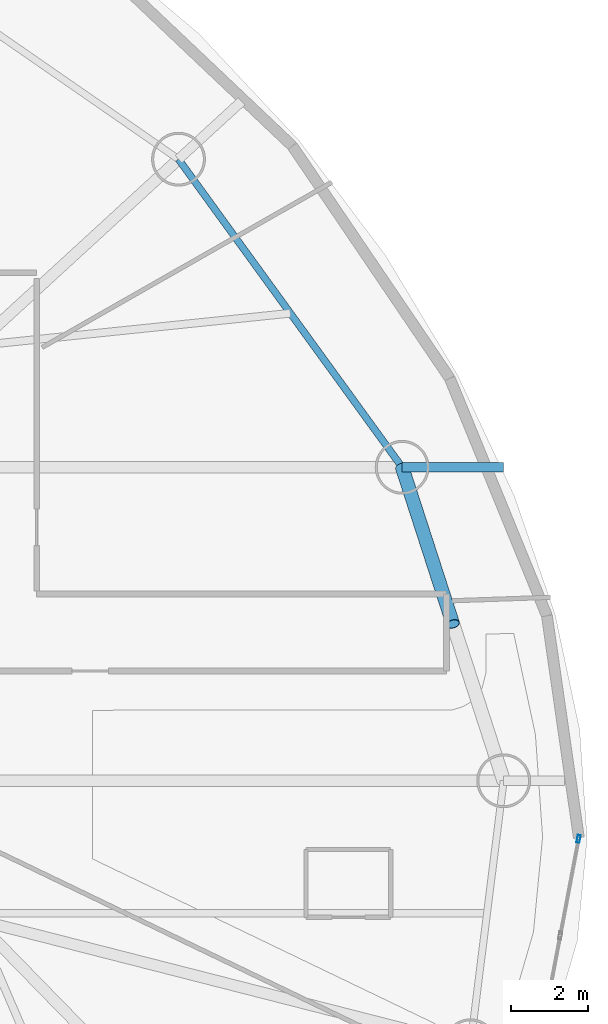
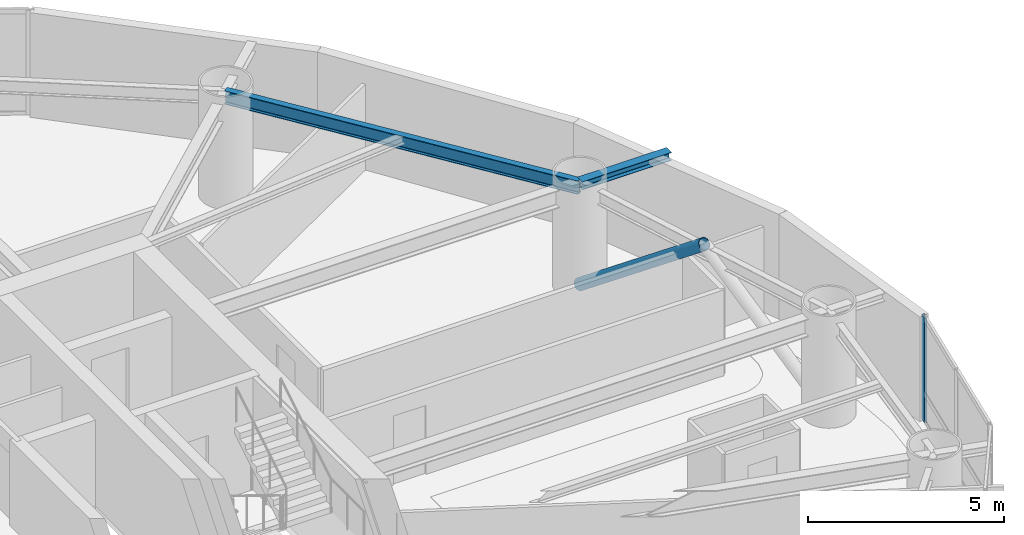
# One storey, part 9 of 22: 2 beams, 2 members, 1 element without a shape of its own.
"""IFC4 building model written with IfcOpenShell, lengths in metres."""

from ifc_helpers import new_model, si_unit, direction, frame, origin, origin_2d, place, context, subcontext, project, spatial, hollow_rectangle, hollow_circle, i_section, extrude, material, layer, layer_set, material_profile, profile_set, type_object, element, aggregate, save


model = new_model("IFC4")

# Units and contexts
model_context = context("Model", 3, precision=1e-05, world=origin(), true_north=direction((0.0, 1.0)))
body_context = subcontext(model_context, "Body", "Model", "MODEL_VIEW")
ifc_project = project(units=[si_unit("LENGTHUNIT", "METRE"), si_unit("AREAUNIT", "SQUARE_METRE"), si_unit("VOLUMEUNIT", "CUBIC_METRE"), si_unit("PLANEANGLEUNIT", "RADIAN"), si_unit("MASSUNIT", "GRAM", prefix="KILO")], contexts=[model_context])

# Site, building, storey
site_placement = place(None, origin())
site = spatial("IfcSite", under=ifc_project, at=site_placement, CompositionType="ELEMENT")
building_placement = place(site_placement, origin())
building = spatial("IfcBuilding", under=site, at=building_placement, Name="Bramvorn Convention Spire", CompositionType="ELEMENT")
storey_placement = place(building_placement, frame((0.0, 0.0, 120.300048828125)))
storey = spatial("IfcBuildingStorey", under=building, at=storey_placement, Name="L29", CompositionType="ELEMENT", Elevation=120.300048828125)

# Beams
ifc_material_1 = material(Name="Steel CSA G40.21 Grade 350 (350W)", Category="steel")
ifc_material_profile_1 = material_profile(ifc_material_1, i_section(OverallWidth=0.25390625, OverallDepth=0.2529296875, WebThickness=0.008544921875, FlangeThickness=0.01416015625, FilletRadius=0.011962890625, at=origin_2d()))
ifc_profile_set_1 = profile_set([ifc_material_profile_1], Name="Steel CSA G40.21 Grade 350 (350W) - W250X73")
beam_type_1 = type_object("IfcBeamType", Name="BM-W250X73", PredefinedType="BEAM", material=ifc_profile_set_1)
beam_1_placement = place(storey_placement, frame((60.345703125, 30.293212890625, 3.133544921875), z_axis=(1.0, 0.0, 0.0), x_axis=(0.0, 1.0, 0.0)))
element("IfcBeam", 1, at=beam_1_placement, inside=storey, type_object=beam_type_1, Name="L29 slab-edge cantilever tip beam MC03", PredefinedType="BEAM", context=body_context, shape_type="SweptSolid", body=[
    extrude(i_section(OverallWidth=0.25390625, OverallDepth=0.2529296875, WebThickness=0.008544921875, FlangeThickness=0.01416015625, FilletRadius=0.011962890625, at=origin_2d()), origin(), (0.0, 0.0, 1.0), 2.634033203125),
])
ifc_material_profile_2 = material_profile(ifc_material_1, i_section(OverallWidth=0.180908203125, OverallDepth=0.4169921875, WebThickness=0.010986328125, FlangeThickness=0.018310546875, FilletRadius=0.01611328125, at=origin_2d()))
ifc_profile_set_2 = profile_set([ifc_material_profile_2], Name="Steel CSA G40.21 Grade 350 (350W) - W410X85")
beam_type_2 = type_object("IfcBeamType", Name="BM-W410X85", PredefinedType="JOIST", material=ifc_profile_set_2)
beam_2_placement = place(storey_placement, frame((60.345703125, 30.293212890625, 3.051513671875), z_axis=(-0.587401024629, 0.809296012757, 0.0), x_axis=(-0.809296012757, -0.587401024629, 0.0)))
element("IfcBeam", 2, at=beam_2_placement, inside=storey, type_object=beam_type_2, Name="L29 mega-column ring beam 03", PredefinedType="JOIST", context=body_context, shape_type="SweptSolid", body=[
    extrude(i_section(OverallWidth=0.180908203125, OverallDepth=0.4169921875, WebThickness=0.010986328125, FlangeThickness=0.018310546875, FilletRadius=0.01611328125, at=origin_2d()), origin(), (0.0, 0.0, 1.0), 9.892333984375),
])

# Curtain wall, member
ifc_material_2 = material(Name="Anodised Bronze Unitised Curtain Wall", Category="aluminium")
ifc_layer = layer(ifc_material_2, 0.179931640625)
ifc_layer_set = layer_set([ifc_layer], Name="Anodised Bronze Unitised Curtain Wall - CW-HTL-FRIT")
curtain_wall_type = type_object("IfcCurtainWallType", Name="CW-HTL-FRIT", PredefinedType="USERDEFINED", material=ifc_layer_set)
curtain_wall_placement = place(storey_placement, origin())
curtain_wall = element("IfcCurtainWall", 3, at=curtain_wall_placement, inside=storey, type_object=curtain_wall_type, Name="L29 fritted glass curtain wall 01", ObjectType="UNITISED CURTAIN WALL", PredefinedType="USERDEFINED")
ifc_material_3 = material(Name="Anodised Bronze Aluminium 6063-T6", Category="aluminium")
ifc_material_profile_3 = material_profile(ifc_material_3, hollow_rectangle(XDim=0.080078125, YDim=0.199951171875, WallThickness=0.00390625, InnerFilletRadius=0.0009765625, OuterFilletRadius=0.00390625, at=origin_2d()))
ifc_profile_set_3 = profile_set([ifc_material_profile_3], Name="Anodised Bronze Aluminium 6063-T6 - CWM80X200")
member_type_1 = type_object("IfcMemberType", Name="CW-MUL-180", PredefinedType="MULLION", material=ifc_profile_set_3)
member_1_placement = place(storey_placement, frame((64.931396484375, 20.64013671875, 0.0), z_axis=(0.0, 0.0, 1.0), x_axis=(0.982381506928, -0.18688652933, 0.0)))
member_1 = element("IfcMember", 4, at=member_1_placement, type_object=member_type_1, Name="CW2 mullion 1", PredefinedType="MULLION", context=body_context, shape_type="SweptSolid", body=[
    extrude(hollow_rectangle(XDim=0.080078125, YDim=0.199951171875, WallThickness=0.00390625, InnerFilletRadius=0.0009765625, OuterFilletRadius=0.00390625, at=origin_2d()), origin(), (0.0, 0.0, 1.0), 3.260009765625),
])
aggregate(curtain_wall, [member_1])

# Member
ifc_material_profile_4 = material_profile(ifc_material_1, hollow_circle(Radius=0.177734375, WallThickness=0.015869140625, at=origin_2d()))
ifc_profile_set_4 = profile_set([ifc_material_profile_4], Name="Steel CSA G40.21 Grade 350 (350W) - CHS356X16")
member_type_2 = type_object("IfcMemberType", Name="MBR-CHS356X16", PredefinedType="BRACE", material=ifc_profile_set_4)
member_2_placement = place(storey_placement, frame((60.345703125, 30.293212890625, 0.0), z_axis=(0.245147921079, -0.756859609759, 0.605859742768), x_axis=(0.951340807692, 0.308140662068, 0.0)))
element("IfcMember", 5, at=member_2_placement, inside=storey, type_object=member_type_2, Name="L29 perimeter Gothic lancet brace 2B", PredefinedType="BRACE", context=body_context, shape_type="SweptSolid", body=[
    extrude(hollow_circle(Radius=0.177734375, WallThickness=0.015869140625, at=origin_2d()), origin(), (0.0, 0.0, 1.0), 5.380859375),
])

save(model, "model.ifc")
